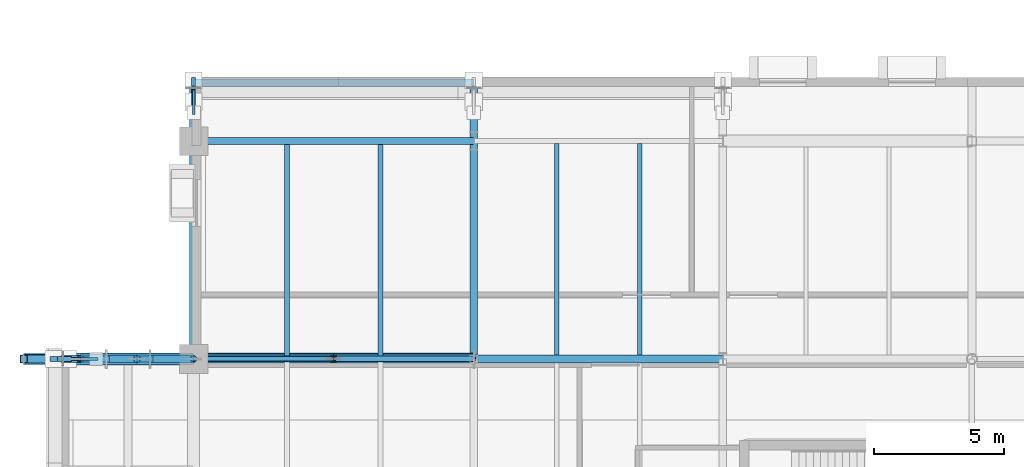
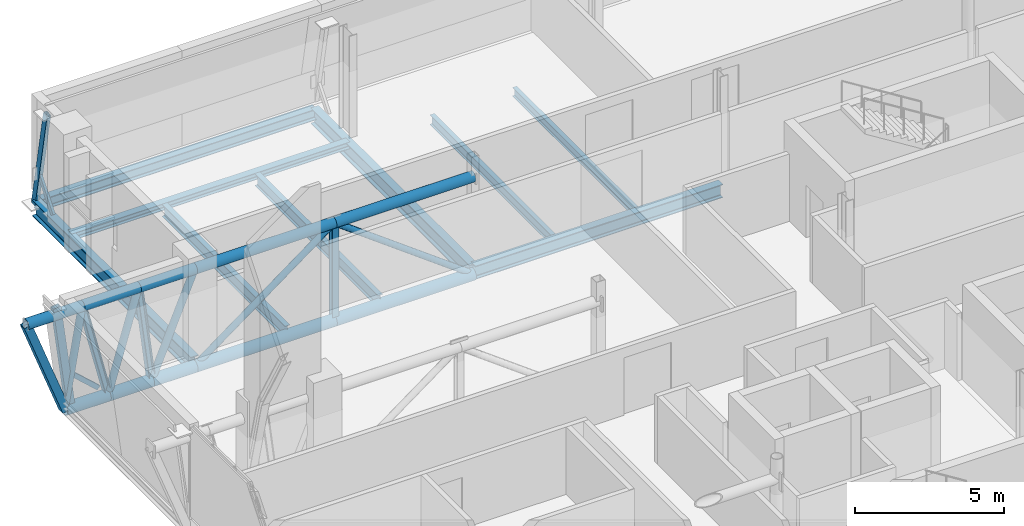
# One storey, part 24 of 90: 23 members, 9 beams.
"""IFC4 building model written with IfcOpenShell, lengths in metres."""

from ifc_helpers import new_model, si_unit, direction, frame, origin, origin_2d, place, context, subcontext, project, spatial, hollow_rectangle, hollow_circle, i_section, extrude, material, material_profile, profile_set, type_object, element, save


model = new_model("IFC4")

# Units and contexts
model_context = context("Model", 3, precision=1e-05, world=origin(), true_north=direction((0.0, 1.0)))
body_context = subcontext(model_context, "Body", "Model", "MODEL_VIEW")
ifc_project = project(units=[si_unit("LENGTHUNIT", "METRE"), si_unit("AREAUNIT", "SQUARE_METRE"), si_unit("VOLUMEUNIT", "CUBIC_METRE"), si_unit("PLANEANGLEUNIT", "RADIAN"), si_unit("MASSUNIT", "GRAM", prefix="KILO")], contexts=[model_context])

# Site, building, storey
site_placement = place(None, origin())
site = spatial("IfcSite", under=ifc_project, at=site_placement, CompositionType="ELEMENT")
building_placement = place(site_placement, origin())
building = spatial("IfcBuilding", under=site, at=building_placement, Name="Zereglee Splitstone Museum", CompositionType="ELEMENT")
storey_placement = place(building_placement, frame((0.0, 0.0, 4.800048828125)))
storey = spatial("IfcBuildingStorey", under=building, at=storey_placement, Name="L01", CompositionType="ELEMENT", Elevation=4.800048828125)

# Members
ifc_material_1 = material(Name="Steel S355J2H", Category="steel")
ifc_material_profile_1 = material_profile(ifc_material_1, hollow_circle(Radius=0.122314453125, WallThickness=0.012451171875, at=origin_2d()), Name="CHS 244.5x12.5")
ifc_profile_set_1 = profile_set([ifc_material_profile_1], Name="Steel S355J2H")
member_type_1 = type_object("IfcMemberType", Name="TB-02", PredefinedType="BRACE", material=ifc_profile_set_1)
for number, where, z_axis, x_axis, name in (
    (1, (9.60009765625, 30.0, -0.699951171875), (0.803552044655, 0.0, 0.595234501294), (0.0, 1.0, 0.0), "Cantilever Truss CT-04 Web Brace L01-4"),
    (2, (20.39990234375, 30.0, -0.699951171875), (-0.803552044655, 0.0, 0.595234501294), (0.0, -1.0, 0.0), "Cantilever Truss CT-04 Web Brace L01-5"),
):
    element("IfcMember", number, at=place(storey_placement, frame(where, z_axis=z_axis, x_axis=x_axis)), inside=storey, type_object=member_type_1, Name=name, PredefinedType="BRACE", context=body_context, shape_type="SweptSolid", body=[
        extrude(hollow_circle(Radius=0.122314453125, WallThickness=0.012451171875, at=origin_2d()), origin(), (0.0, 0.0, 1.0), 6.719970703125),
    ])
ifc_material_profile_2 = material_profile(ifc_material_1, hollow_circle(Radius=0.136474609375, WallThickness=0.012451171875, at=origin_2d()), Name="CHS 273.0x12.5")
ifc_profile_set_2 = profile_set([ifc_material_profile_2], Name="Steel S355J2H")
member_type_2 = type_object("IfcMemberType", Name="TB-01", PredefinedType="BRACE", material=ifc_profile_set_2)
member_1_placement = place(storey_placement, frame((4.550048828125, 30.0, -0.699951171875), z_axis=(0.168397696693, 0.0, 0.985719136341), x_axis=(0.0, 1.0, 0.0)))
element("IfcMember", 3, at=member_1_placement, inside=storey, type_object=member_type_2, Name="Cantilever Truss CT-04 Web Brace L01-1", PredefinedType="BRACE", context=body_context, shape_type="SweptSolid", body=[
    extrude(hollow_circle(Radius=0.136474609375, WallThickness=0.012451171875, at=origin_2d()), origin(), (0.0, 0.0, 1.0), 4.057861328125),
])
member_2_placement = place(storey_placement, frame((6.2333984375, 30.0, -0.699951171875), z_axis=(0.283683776864, 0.0, 0.958917887383), x_axis=(0.0, 1.0, 0.0)))
element("IfcMember", 4, at=member_2_placement, inside=storey, type_object=member_type_2, Name="Cantilever Truss CT-04 Web Brace L01-2", PredefinedType="BRACE", context=body_context, shape_type="SweptSolid", body=[
    extrude(hollow_circle(Radius=0.136474609375, WallThickness=0.012451171875, at=origin_2d()), origin(), (0.0, 0.0, 1.0), 4.17138671875),
])
member_3_placement = place(storey_placement, frame((7.916748046875, 30.0, -0.699951171875), z_axis=(0.387888488843, 0.0, 0.921706309094), x_axis=(0.0, 1.0, 0.0)))
element("IfcMember", 5, at=member_3_placement, inside=storey, type_object=member_type_2, Name="Cantilever Truss CT-04 Web Brace L01-3", PredefinedType="BRACE", context=body_context, shape_type="SweptSolid", body=[
    extrude(hollow_circle(Radius=0.136474609375, WallThickness=0.012451171875, at=origin_2d()), origin(), (0.0, 0.0, 1.0), 4.33984375),
])
ifc_material_profile_3 = material_profile(ifc_material_1, hollow_circle(Radius=0.203125, WallThickness=0.02001953125, at=origin_2d()), Name="CHS 406.4x20")
ifc_profile_set_3 = profile_set([ifc_material_profile_3], Name="Steel S355J2H")
member_type_3 = type_object("IfcMemberType", Name="TC-03", PredefinedType="CHORD", material=ifc_profile_set_3)
for number, where, z_axis, x_axis, name in (
    (6, (3.050048828125, 30.0, 3.300048828125), (1.0, 0.0, 0.0), (0.0, 1.0, 0.0), "Cantilever Truss CT-04 Top Chord L01-1"),
    (7, (5.2333984375, 30.0, 3.300048828125), (1.0, 0.0, 0.0), (0.0, 1.0, 0.0), "Cantilever Truss CT-04 Top Chord L01-2"),
    (8, (7.416748046875, 30.0, 3.300048828125), (1.0, 0.0, 0.0), (0.0, 1.0, 0.0), "Cantilever Truss CT-04 Top Chord L01-3"),
):
    element("IfcMember", number, at=place(storey_placement, frame(where, z_axis=z_axis, x_axis=x_axis)), inside=storey, type_object=member_type_3, Name=name, PredefinedType="CHORD", context=body_context, shape_type="SweptSolid", body=[
        extrude(hollow_circle(Radius=0.203125, WallThickness=0.02001953125, at=origin_2d()), origin(), (0.0, 0.0, 1.0), 2.183349609375),
    ])
for number, where, z_axis, x_axis, name in (
    (9, (9.60009765625, 30.0, 3.300048828125), (1.0, 0.0, 0.0), (0.0, 1.0, 0.0), "Cantilever Truss CT-04 Top Chord L01-4"),
    (10, (15.0, 30.0, 3.300048828125), (1.0, 0.0, 0.0), (0.0, 1.0, 0.0), "Cantilever Truss CT-04 Top Chord L01-5"),
):
    element("IfcMember", number, at=place(storey_placement, frame(where, z_axis=z_axis, x_axis=x_axis)), inside=storey, type_object=member_type_3, Name=name, PredefinedType="CHORD", context=body_context, shape_type="SweptSolid", body=[
        extrude(hollow_circle(Radius=0.203125, WallThickness=0.02001953125, at=origin_2d()), origin(), (0.0, 0.0, 1.0), 5.39990234375),
    ])
ifc_material_profile_4 = material_profile(ifc_material_1, hollow_circle(Radius=0.228515625, WallThickness=0.02001953125, at=origin_2d()), Name="CHS 457.0x20")
ifc_profile_set_4 = profile_set([ifc_material_profile_4], Name="Steel S355J2H")
member_type_4 = type_object("IfcMemberType", Name="TC-02", PredefinedType="CHORD", material=ifc_profile_set_4)
for number, where, z_axis, x_axis, name in (
    (11, (4.550048828125, 30.0, -0.699951171875), (1.0, 0.0, 0.0), (0.0, 1.0, 0.0), "Cantilever Truss CT-04 Bottom Chord 1"),
    (12, (6.2333984375, 30.0, -0.699951171875), (1.0, 0.0, 0.0), (0.0, 1.0, 0.0), "Cantilever Truss CT-04 Bottom Chord 2"),
    (13, (7.916748046875, 30.0, -0.699951171875), (1.0, 0.0, 0.0), (0.0, 1.0, 0.0), "Cantilever Truss CT-04 Bottom Chord 3"),
):
    element("IfcMember", number, at=place(storey_placement, frame(where, z_axis=z_axis, x_axis=x_axis)), inside=storey, type_object=member_type_4, Name=name, PredefinedType="CHORD", context=body_context, shape_type="SweptSolid", body=[
        extrude(hollow_circle(Radius=0.228515625, WallThickness=0.02001953125, at=origin_2d()), origin(), (0.0, 0.0, 1.0), 1.683349609375),
    ])
for number, where, z_axis, x_axis, name in (
    (14, (9.60009765625, 30.0, -0.699951171875), (1.0, 0.0, 0.0), (0.0, 1.0, 0.0), "Cantilever Truss CT-04 Bottom Chord 4"),
    (15, (15.0, 30.0, -0.699951171875), (1.0, 0.0, 0.0), (0.0, 1.0, 0.0), "Cantilever Truss CT-04 Bottom Chord 5"),
):
    element("IfcMember", number, at=place(storey_placement, frame(where, z_axis=z_axis, x_axis=x_axis)), inside=storey, type_object=member_type_4, Name=name, PredefinedType="CHORD", context=body_context, shape_type="SweptSolid", body=[
        extrude(hollow_circle(Radius=0.228515625, WallThickness=0.02001953125, at=origin_2d()), origin(), (0.0, 0.0, 1.0), 5.39990234375),
    ])

# Beams
ifc_material_2 = material(Name="Steel S355J2", Category="steel")
ifc_material_profile_5 = material_profile(ifc_material_2, i_section(OverallWidth=0.300048828125, OverallDepth=0.550048828125, WebThickness=0.014892578125, FlangeThickness=0.029052734375, FilletRadius=0.027099609375, at=origin_2d()), Name="HE 550 B")
ifc_profile_set_5 = profile_set([ifc_material_profile_5], Name="Steel S355J2")
beam_type_1 = type_object("IfcBeamType", Name="BG-11", PredefinedType="BEAM", material=ifc_profile_set_5)
beam_1_placement = place(storey_placement, frame((20.39990234375, 30.0, -0.574951171875), z_axis=(1.0, 0.0, 0.0), x_axis=(0.0, 1.0, 0.0)))
element("IfcBeam", 16, at=beam_1_placement, inside=storey, type_object=beam_type_1, Name="Primary Girder L01 D (20.4-30.0)", PredefinedType="BEAM", context=body_context, shape_type="SweptSolid", body=[
    extrude(i_section(OverallWidth=0.300048828125, OverallDepth=0.550048828125, WebThickness=0.014892578125, FlangeThickness=0.029052734375, FilletRadius=0.027099609375, at=origin_2d()), origin(), (0.0, 0.0, 1.0), 9.60009765625),
])
ifc_material_profile_6 = material_profile(ifc_material_2, i_section(OverallWidth=0.300048828125, OverallDepth=0.64990234375, WebThickness=0.01611328125, FlangeThickness=0.031005859375, FilletRadius=0.027099609375, at=origin_2d()), Name="HE 650 B")
ifc_profile_set_6 = profile_set([ifc_material_profile_6], Name="Steel S355J2")
beam_type_2 = type_object("IfcBeamType", Name="BG-09", PredefinedType="BEAM", material=ifc_profile_set_6)
for number, where, z_axis, x_axis, name in (
    (17, (9.60009765625, 30.0, -0.625), (0.0, 1.0, 0.0), (-1.0, 0.0, 0.0), "Primary Girder L01 2 (30.0-40.6)"),
    (18, (20.39990234375, 30.0, -0.625), (0.0, 1.0, 0.0), (-1.0, 0.0, 0.0), "Primary Girder L01 4 (30.0-40.6)"),
):
    element("IfcBeam", number, at=place(storey_placement, frame(where, z_axis=z_axis, x_axis=x_axis)), inside=storey, type_object=beam_type_2, Name=name, PredefinedType="BEAM", context=body_context, shape_type="SweptSolid", body=[
        extrude(i_section(OverallWidth=0.300048828125, OverallDepth=0.64990234375, WebThickness=0.01611328125, FlangeThickness=0.031005859375, FilletRadius=0.027099609375, at=origin_2d()), origin(), (0.0, 0.0, 1.0), 10.64990234375),
    ])
ifc_material_profile_7 = material_profile(ifc_material_2, i_section(OverallWidth=0.169921875, OverallDepth=0.360107421875, WebThickness=0.008056640625, FlangeThickness=0.0126953125, FilletRadius=0.01806640625, at=origin_2d()), Name="IPE 360")
ifc_profile_set_7 = profile_set([ifc_material_profile_7], Name="Steel S355J2")
beam_type_3 = type_object("IfcBeamType", Name="BJ-04", PredefinedType="JOIST", material=ifc_profile_set_7)
beam_2_placement = place(storey_placement, frame((26.800048828125, 30.14990234375, -0.47998046875), z_axis=(0.0, 1.0, 0.0), x_axis=(-1.0, 0.0, 0.0)))
element("IfcBeam", 19, at=beam_2_placement, inside=storey, type_object=beam_type_3, Name="Secondary Floor Joist L01-0759", PredefinedType="JOIST", context=body_context, shape_type="SweptSolid", body=[
    extrude(i_section(OverallWidth=0.169921875, OverallDepth=0.360107421875, WebThickness=0.008056640625, FlangeThickness=0.0126953125, FilletRadius=0.01806640625, at=origin_2d()), origin(), (0.0, 0.0, 1.0), 8.150146484375),
])
ifc_material_profile_8 = material_profile(ifc_material_2, i_section(OverallWidth=0.179931640625, OverallDepth=0.39990234375, WebThickness=0.008544921875, FlangeThickness=0.013427734375, FilletRadius=0.02099609375, at=origin_2d()), Name="IPE 400")
ifc_profile_set_8 = profile_set([ifc_material_profile_8], Name="Steel S355J2")
beam_type_4 = type_object("IfcBeamType", Name="BJ-03", PredefinedType="JOIST", material=ifc_profile_set_8)
beam_3_placement = place(storey_placement, frame((23.60009765625, 30.14990234375, -0.5), z_axis=(0.0, 1.0, 0.0), x_axis=(-1.0, 0.0, 0.0)))
element("IfcBeam", 20, at=beam_3_placement, inside=storey, type_object=beam_type_4, Name="Secondary Floor Joist L01-0758", PredefinedType="JOIST", context=body_context, shape_type="SweptSolid", body=[
    extrude(i_section(OverallWidth=0.179931640625, OverallDepth=0.39990234375, WebThickness=0.008544921875, FlangeThickness=0.013427734375, FilletRadius=0.02099609375, at=origin_2d()), origin(), (0.0, 0.0, 1.0), 8.150146484375),
])
ifc_material_profile_9 = material_profile(ifc_material_2, i_section(OverallWidth=0.199951171875, OverallDepth=0.5, WebThickness=0.01025390625, FlangeThickness=0.01611328125, FilletRadius=0.02099609375, at=origin_2d()), Name="IPE 500")
ifc_profile_set_9 = profile_set([ifc_material_profile_9], Name="Steel S355J2")
beam_type_5 = type_object("IfcBeamType", Name="BJ-01", PredefinedType="JOIST", material=ifc_profile_set_9)
for number, where, z_axis, x_axis, name in (
    (21, (13.199951171875, 30.0, -0.550048828125), (0.0, 1.0, 0.0), (-1.0, 0.0, 0.0), "Secondary Floor Joist L01-0756"),
    (22, (16.800048828125, 30.0, -0.550048828125), (0.0, 1.0, 0.0), (-1.0, 0.0, 0.0), "Secondary Floor Joist L01-0757"),
):
    element("IfcBeam", number, at=place(storey_placement, frame(where, z_axis=z_axis, x_axis=x_axis)), inside=storey, type_object=beam_type_5, Name=name, PredefinedType="JOIST", context=body_context, shape_type="SweptSolid", body=[
        extrude(i_section(OverallWidth=0.199951171875, OverallDepth=0.5, WebThickness=0.01025390625, FlangeThickness=0.01611328125, FilletRadius=0.02099609375, at=origin_2d()), origin(), (0.0, 0.0, 1.0), 8.260009765625),
    ])

# Members
ifc_material_profile_10 = material_profile(ifc_material_2, i_section(OverallWidth=0.239990234375, OverallDepth=0.239990234375, WebThickness=0.010009765625, FlangeThickness=0.01708984375, FilletRadius=0.02099609375, at=origin_2d()), Name="HE 240 B")
ifc_profile_set_10 = profile_set([ifc_material_profile_10], Name="Steel S355J2")
member_type_5 = type_object("IfcMemberType", Name="TP-02", PredefinedType="POST", material=ifc_profile_set_10)
member_4_placement = place(storey_placement, frame((6.2333984375, 30.0, -0.699951171875), z_axis=(-0.242535625036, 0.0, 0.970142500145), x_axis=(0.0, -1.0, 0.0)))
element("IfcMember", 23, at=member_4_placement, inside=storey, type_object=member_type_5, Name="Cantilever Truss CT-04 Post L01-2", PredefinedType="POST", context=body_context, shape_type="SweptSolid", body=[
    extrude(i_section(OverallWidth=0.239990234375, OverallDepth=0.239990234375, WebThickness=0.010009765625, FlangeThickness=0.01708984375, FilletRadius=0.02099609375, at=origin_2d()), origin(), (0.0, 0.0, 1.0), 4.123046875),
])
member_5_placement = place(storey_placement, frame((7.916748046875, 30.0, -0.699951171875), z_axis=(-0.124034734589, 0.0, 0.992277876714), x_axis=(0.0, -1.0, 0.0)))
element("IfcMember", 24, at=member_5_placement, inside=storey, type_object=member_type_5, Name="Cantilever Truss CT-04 Post L01-3", PredefinedType="POST", context=body_context, shape_type="SweptSolid", body=[
    extrude(i_section(OverallWidth=0.239990234375, OverallDepth=0.239990234375, WebThickness=0.010009765625, FlangeThickness=0.01708984375, FilletRadius=0.02099609375, at=origin_2d()), origin(), (0.0, 0.0, 1.0), 4.03125),
])
member_6_placement = place(storey_placement, frame((15.0, 30.0, -0.699951171875), z_axis=(0.0, 0.0, 1.0), x_axis=(1.0, 0.0, 0.0)))
element("IfcMember", 25, at=member_6_placement, inside=storey, type_object=member_type_5, Name="Cantilever Truss CT-04 Post L01-4", PredefinedType="POST", context=body_context, shape_type="SweptSolid", body=[
    extrude(i_section(OverallWidth=0.239990234375, OverallDepth=0.239990234375, WebThickness=0.010009765625, FlangeThickness=0.01708984375, FilletRadius=0.02099609375, at=origin_2d()), origin(), (0.0, 0.0, 1.0), 4.0),
])
ifc_material_profile_11 = material_profile(ifc_material_1, hollow_rectangle(XDim=0.300048828125, YDim=0.300048828125, WallThickness=0.01611328125, at=origin_2d()), Name="SHS 300x300x16")
ifc_profile_set_11 = profile_set([ifc_material_profile_11], Name="Steel S355J2H")
member_type_6 = type_object("IfcMemberType", Name="TP-01", PredefinedType="POST", material=ifc_profile_set_11)
member_7_placement = place(storey_placement, frame((4.550048828125, 30.0, -0.699951171875), z_axis=(-0.351123441588, 0.0, 0.936329177569), x_axis=(0.0, -1.0, 0.0)))
element("IfcMember", 26, at=member_7_placement, inside=storey, type_object=member_type_6, Name="Cantilever Truss CT-04 Post L01-1", PredefinedType="POST", context=body_context, shape_type="SweptSolid", body=[
    extrude(hollow_rectangle(XDim=0.300048828125, YDim=0.300048828125, WallThickness=0.01611328125, at=origin_2d()), origin(), (0.0, 0.0, 1.0), 4.27197265625),
])

# Beams
ifc_material_profile_12 = material_profile(ifc_material_2, i_section(OverallWidth=0.280029296875, OverallDepth=0.280029296875, WebThickness=0.010498046875, FlangeThickness=0.01806640625, FilletRadius=0.02392578125, at=origin_2d()), Name="HE 280 B")
ifc_profile_set_12 = profile_set([ifc_material_profile_12], Name="Steel S355J2")
beam_type_6 = type_object("IfcBeamType", Name="SP-03", PredefinedType="SPANDREL", material=ifc_profile_set_12)
beam_4_placement = place(storey_placement, frame((9.60009765625, 38.39990234375, -0.43994140625), z_axis=(1.0, 0.0, 0.0), x_axis=(0.0, 1.0, 0.0)))
element("IfcBeam", 27, at=beam_4_placement, inside=storey, type_object=beam_type_6, Name="Primary Girder L01 E (9.6-20.4)", PredefinedType="SPANDREL", context=body_context, shape_type="SweptSolid", body=[
    extrude(i_section(OverallWidth=0.280029296875, OverallDepth=0.280029296875, WebThickness=0.010498046875, FlangeThickness=0.01806640625, FilletRadius=0.02392578125, at=origin_2d()), origin(), (0.0, 0.0, 1.0), 10.7998046875),
])
ifc_material_profile_13 = material_profile(ifc_material_2, i_section(OverallWidth=0.300048828125, OverallDepth=0.449951171875, WebThickness=0.013916015625, FlangeThickness=0.02587890625, FilletRadius=0.027099609375, at=origin_2d()), Name="HE 450 B")
ifc_profile_set_13 = profile_set([ifc_material_profile_13], Name="Steel S355J2")
beam_type_7 = type_object("IfcBeamType", Name="SP-02", PredefinedType="SPANDREL", material=ifc_profile_set_13)
beam_5_placement = place(storey_placement, frame((9.60009765625, 40.64990234375, -0.525146484375), z_axis=(1.0, 0.0, 0.0), x_axis=(0.0, 1.0, 0.0)))
element("IfcBeam", 28, at=beam_5_placement, inside=storey, type_object=beam_type_7, Name="Hovering Soffit Spandrel L01 (9.6-20.4)", PredefinedType="SPANDREL", context=body_context, shape_type="SweptSolid", body=[
    extrude(i_section(OverallWidth=0.300048828125, OverallDepth=0.449951171875, WebThickness=0.013916015625, FlangeThickness=0.02587890625, FilletRadius=0.027099609375, at=origin_2d()), origin(), (0.0, 0.0, 1.0), 10.7998046875),
])

# Members
ifc_material_profile_14 = material_profile(ifc_material_1, hollow_rectangle(XDim=0.14990234375, YDim=0.25, WallThickness=0.010009765625, at=origin_2d()), Name="RHS 250x150x10")
ifc_profile_set_14 = profile_set([ifc_material_profile_14], Name="Steel S355J2H")
member_type_7 = type_object("IfcMemberType", Name="FS-R2", PredefinedType="STRUT", material=ifc_profile_set_14)
member_8_placement = place(storey_placement, frame((9.60009765625, 40.727783203125, -0.550048828125), z_axis=(0.0, -0.190754560895, 0.981637762873), x_axis=(1.0, 0.0, 0.0)))
element("IfcMember", 29, at=member_8_placement, inside=storey, type_object=member_type_7, Name="Split-Rock Continuous Facet Strut FH-V1NL-N L01-01", PredefinedType="STRUT", context=body_context, shape_type="SweptSolid", body=[
    extrude(hollow_rectangle(XDim=0.14990234375, YDim=0.25, WallThickness=0.010009765625, at=origin_2d()), origin(), (0.0, 0.0, 1.0), 4.258056640625),
])
ifc_material_profile_15 = material_profile(ifc_material_1, hollow_rectangle(XDim=0.199951171875, YDim=0.300048828125, WallThickness=0.012451171875, at=origin_2d()), Name="RHS 300x200x12.5")
ifc_profile_set_15 = profile_set([ifc_material_profile_15], Name="Steel S355J2H")
member_type_8 = type_object("IfcMemberType", Name="FS-R1", PredefinedType="STRUT", material=ifc_profile_set_15)
member_9_placement = place(storey_placement, frame((4.751708984375, 30.0, -0.550048828125), z_axis=(-0.128360970169, 0.0, 0.991727513654), x_axis=(0.0, -1.0, 0.0)))
element("IfcMember", 30, at=member_9_placement, inside=storey, type_object=member_type_8, Name="Split-Rock Continuous Facet Strut FH-V1W-N L01-02", PredefinedType="STRUT", context=body_context, shape_type="SweptSolid", body=[
    extrude(hollow_rectangle(XDim=0.199951171875, YDim=0.300048828125, WallThickness=0.012451171875, at=origin_2d()), origin(), (0.0, 0.0, 1.0), 4.21484375),
])
ifc_material_profile_16 = material_profile(ifc_material_1, hollow_rectangle(XDim=0.10009765625, YDim=0.179931640625, WallThickness=0.008056640625, at=origin_2d()), Name="RHS 180x100x8")
ifc_profile_set_16 = profile_set([ifc_material_profile_16], Name="Steel S355J2H")
member_type_9 = type_object("IfcMemberType", Name="FS-T2", PredefinedType="STRUT", material=ifc_profile_set_16)
member_10_placement = place(storey_placement, frame((5.85009765625, 30.0, -0.260009765625), z_axis=(-0.742606839089, 0.0, 0.669727618169), x_axis=(0.0, -1.0, 0.0)))
element("IfcMember", 31, at=member_10_placement, inside=storey, type_object=member_type_9, Name="Facet Tie-Back Strut FH-V1W-N L01-02", PredefinedType="STRUT", context=body_context, shape_type="SweptSolid", body=[
    extrude(hollow_rectangle(XDim=0.10009765625, YDim=0.179931640625, WallThickness=0.008056640625, at=origin_2d()), origin(), (0.0, 0.0, 1.0), 1.73193359375),
])
member_11_placement = place(storey_placement, frame((9.60009765625, 39.5, -0.260009765625), z_axis=(0.0, 0.63204683129, 0.774930192376), x_axis=(-1.0, 0.0, 0.0)))
element("IfcMember", 32, at=member_11_placement, inside=storey, type_object=member_type_9, Name="Facet Tie-Back Strut FH-V1NL-N L01-01", PredefinedType="STRUT", context=body_context, shape_type="SweptSolid", body=[
    extrude(hollow_rectangle(XDim=0.10009765625, YDim=0.179931640625, WallThickness=0.008056640625, at=origin_2d()), origin(), (0.0, 0.0, 1.0), 1.496826171875),
])

save(model, "model.ifc")
